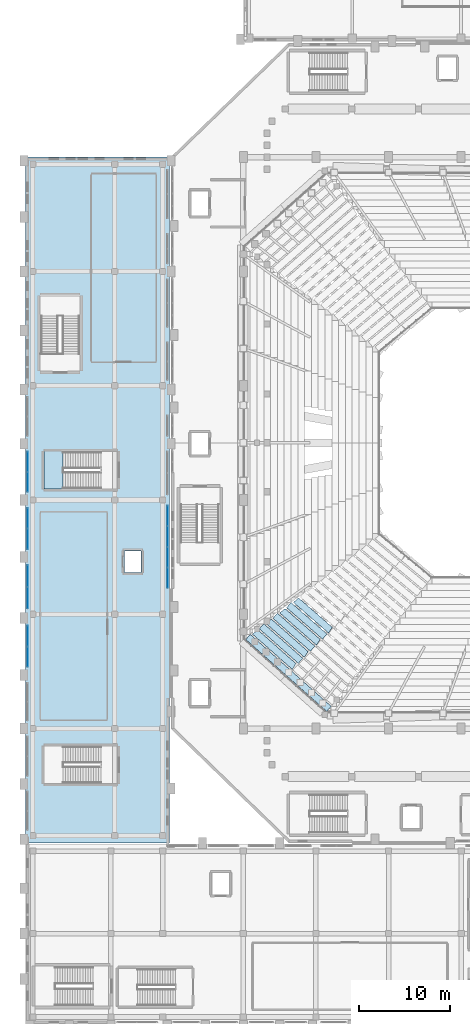
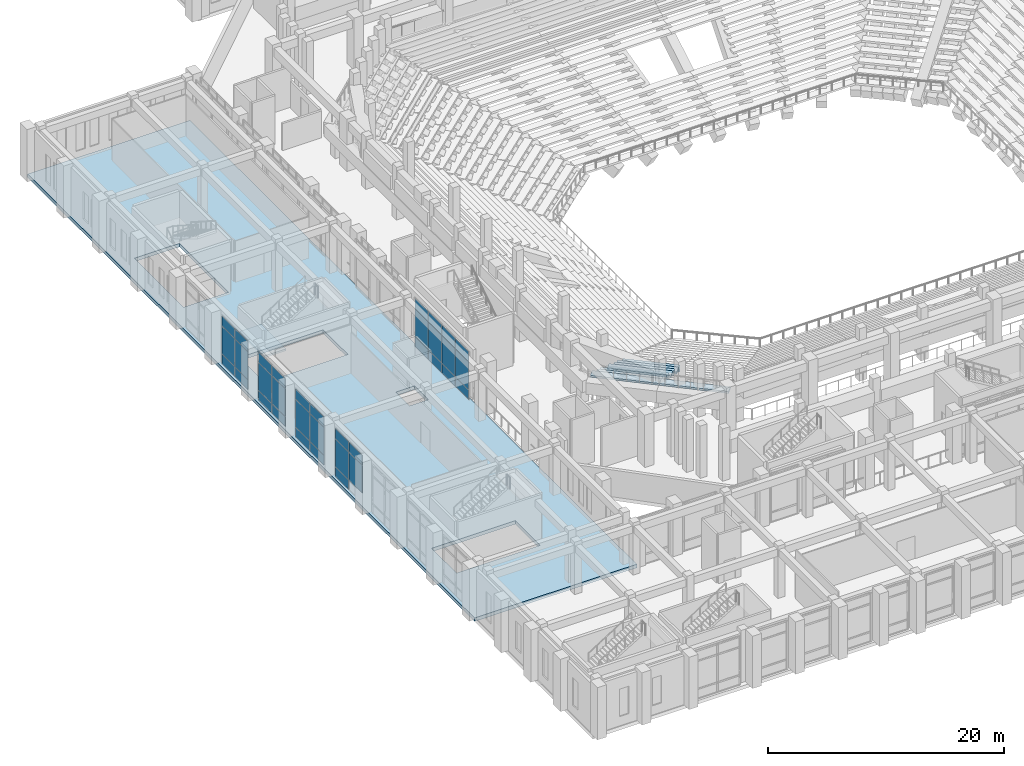
# One storey, part 87 of 159: 35 plates, 11 slabs, 6 elements without a shape of their own.
"""IFC4 building model written with IfcOpenShell, lengths in metres."""

from ifc_helpers import new_model, si_unit, derived_unit, direction, frame, origin, origin_2d, place, context, subcontext, project, spatial, polyline, rectangle, outline, extrude, material, layer, layer_set, type_object, element, aggregate, save


model = new_model("IFC4")

# Units and contexts
model_context = context("Model", 3, precision=1e-05, world=origin(), true_north=direction((0.0, 1.0)))
body_context = subcontext(model_context, "Body", "Model", "MODEL_VIEW")
ifc_project = project(units=[si_unit("LENGTHUNIT", "METRE"), si_unit("AREAUNIT", "SQUARE_METRE"), si_unit("VOLUMEUNIT", "CUBIC_METRE"), si_unit("PLANEANGLEUNIT", "RADIAN"), si_unit("MASSUNIT", "GRAM", prefix="KILO"), derived_unit("THERMALTRANSMITTANCEUNIT", [(si_unit("MASSUNIT", "GRAM", prefix="KILO"), 1), (si_unit("TIMEUNIT", "SECOND"), -3), (si_unit("THERMODYNAMICTEMPERATUREUNIT", "KELVIN"), -1)])], contexts=[model_context])

# Site, building, storey
site_placement = place(None, origin())
site = spatial("IfcSite", under=ifc_project, at=site_placement, CompositionType="ELEMENT")
building_placement = place(site_placement, origin())
building = spatial("IfcBuilding", under=site, at=building_placement, Name="Valcora Ridge Arena", CompositionType="ELEMENT")
storey_placement = place(building_placement, frame((0.0, 0.0, 6.0)))
storey = spatial("IfcBuildingStorey", under=building, at=storey_placement, Name="L01", CompositionType="ELEMENT", Elevation=6.0)

# Stair, slab
ifc_material_1 = material(Name="Concrete C40/50", Category="concrete")
stair_type = type_object("IfcStairType", Name="TY-STAIR-ES08-54", PredefinedType="HALF_TURN_STAIR", material=ifc_material_1)
stair_placement = place(storey_placement, origin())
stair = element("IfcStair", 1, at=stair_placement, inside=storey, type_object=stair_type, Name="ES08-54 STR-ES-0028", PredefinedType="HALF_TURN_STAIR")
ifc_layer_1 = layer(ifc_material_1, 0.199951171875, Name="Concrete C40/50")
ifc_layer_set_1 = layer_set([ifc_layer_1], Name="Concrete C40/50")
slab_type_1 = type_object("IfcSlabType", Name="TY-LAND-ES08-54", PredefinedType="LANDING", material=ifc_layer_set_1)
slab_1_placement = place(storey_placement, frame((0.0, 0.0, 2.5)))
slab_1 = element("IfcSlab", 2, at=slab_1_placement, type_object=slab_type_1, Name="ES08-54 landing 1", PredefinedType="LANDING", context=body_context, shape_type="SweptSolid", body=[
    extrude(outline(polyline([(2.001953125, 59.001953125), (4.1201171875, 59.001953125), (4.1201171875, 63.197998046875), (2.001953125, 63.197998046875), (2.001953125, 59.001953125)])), origin(), (0.0, 0.0, 1.0), 0.199951171875),
])
aggregate(stair, [slab_1])

# Curtain wall, plates
ifc_material_2 = material(Name="Anodised dark bronze architectural aluminium 6063-T6", Category="aluminium")
ifc_layer_2 = layer(ifc_material_2, 0.14990234375, Name="Anodised dark bronze architectural aluminium 6063-T6")
ifc_layer_set_2 = layer_set([ifc_layer_2], Name="Anodised dark bronze architectural aluminium 6063-T6")
curtain_wall_type_1 = type_object("IfcCurtainWallType", Name="TY-CURTAINWALL-CW-V4-CLUB-045X50", PredefinedType="NOTDEFINED", material=ifc_layer_set_2)
curtain_wall_1_placement = place(storey_placement, origin())
curtain_wall_1 = element("IfcCurtainWall", 3, at=curtain_wall_1_placement, inside=storey, type_object=curtain_wall_type_1, Name="CW-V4-CLUB-045X50 CW-0228", PredefinedType="NOTDEFINED")
ifc_material_3 = material(Name="Low-iron solar-control double glazing SHGC 0.28", Category="glass")
ifc_layer_3 = layer(ifc_material_3, 0.028076171875, Name="Low-iron solar-control double glazing SHGC 0.28")
ifc_layer_set_3 = layer_set([ifc_layer_3], Name="Low-iron solar-control double glazing SHGC 0.28")
plate_type_1 = type_object("IfcPlateType", Name="TY-PLT-CWP-2185X0975", PredefinedType="CURTAIN_PANEL", material=ifc_layer_set_3)
plate_1_placement = place(storey_placement, frame((0.219970703125, 59.782470703125, 0.050048828125), z_axis=(0.0, 0.0, 1.0), x_axis=(0.0, 1.0, 0.0)))
plate_1 = element("IfcPlate", 4, at=plate_1_placement, type_object=plate_type_1, Name="CW-0228/P00-00", PredefinedType="CURTAIN_PANEL", context=body_context, shape_type="SweptSolid", body=[
    extrude(rectangle(XDim=2.18505859375, YDim=0.028076171875, at=origin_2d()), origin(), (0.0, 0.0, 1.0), 0.97509765625),
])
plate_2_placement = place(storey_placement, frame((0.219970703125, 62.017578125, 0.050048828125), z_axis=(0.0, 0.0, 1.0), x_axis=(0.0, 1.0, 0.0)))
plate_2 = element("IfcPlate", 5, at=plate_2_placement, type_object=plate_type_1, Name="CW-0228/P01-00", PredefinedType="CURTAIN_PANEL", context=body_context, shape_type="SweptSolid", body=[
    extrude(rectangle(XDim=2.18505859375, YDim=0.028076171875, at=origin_2d()), origin(), (0.0, 0.0, 1.0), 0.97509765625),
])
ifc_layer_4 = layer(ifc_material_3, 0.028076171875, Name="Low-iron solar-control double glazing SHGC 0.28")
ifc_layer_set_4 = layer_set([ifc_layer_4], Name="Low-iron solar-control double glazing SHGC 0.28")
plate_type_2 = type_object("IfcPlateType", Name="TY-PLT-CWP-2185X1025", PredefinedType="CURTAIN_PANEL", material=ifc_layer_set_4)
plate_3_placement = place(storey_placement, frame((0.219970703125, 59.782470703125, 3.965087890625), z_axis=(0.0, 0.0, 1.0), x_axis=(0.0, 1.0, 0.0)))
plate_3 = element("IfcPlate", 6, at=plate_3_placement, type_object=plate_type_2, Name="CW-0228/P00-02", PredefinedType="CURTAIN_PANEL", context=body_context, shape_type="SweptSolid", body=[
    extrude(rectangle(XDim=2.18505859375, YDim=0.028076171875, at=origin_2d()), origin(), (0.0, 0.0, 1.0), 1.02490234375),
])
plate_4_placement = place(storey_placement, frame((0.219970703125, 62.017578125, 3.965087890625), z_axis=(0.0, 0.0, 1.0), x_axis=(0.0, 1.0, 0.0)))
plate_4 = element("IfcPlate", 7, at=plate_4_placement, type_object=plate_type_2, Name="CW-0228/P01-02", PredefinedType="CURTAIN_PANEL", context=body_context, shape_type="SweptSolid", body=[
    extrude(rectangle(XDim=2.18505859375, YDim=0.028076171875, at=origin_2d()), origin(), (0.0, 0.0, 1.0), 1.02490234375),
])
ifc_layer_5 = layer(ifc_material_3, 0.028076171875, Name="Low-iron solar-control double glazing SHGC 0.28")
ifc_layer_set_5 = layer_set([ifc_layer_5], Name="Low-iron solar-control double glazing SHGC 0.28")
plate_type_3 = type_object("IfcPlateType", Name="TY-PLT-CWP-2185X2840", PredefinedType="CURTAIN_PANEL", material=ifc_layer_set_5)
plate_5_placement = place(storey_placement, frame((0.219970703125, 59.782470703125, 1.0751953125), z_axis=(0.0, 0.0, 1.0), x_axis=(0.0, 1.0, 0.0)))
plate_5 = element("IfcPlate", 8, at=plate_5_placement, type_object=plate_type_3, Name="CW-0228/P00-01", PredefinedType="CURTAIN_PANEL", context=body_context, shape_type="SweptSolid", body=[
    extrude(rectangle(XDim=2.18505859375, YDim=0.028076171875, at=origin_2d()), origin(), (0.0, 0.0, 1.0), 2.840087890625),
])
plate_6_placement = place(storey_placement, frame((0.219970703125, 62.017578125, 1.0751953125), z_axis=(0.0, 0.0, 1.0), x_axis=(0.0, 1.0, 0.0)))
plate_6 = element("IfcPlate", 9, at=plate_6_placement, type_object=plate_type_3, Name="CW-0228/P01-01", PredefinedType="CURTAIN_PANEL", context=body_context, shape_type="SweptSolid", body=[
    extrude(rectangle(XDim=2.18505859375, YDim=0.028076171875, at=origin_2d()), origin(), (0.0, 0.0, 1.0), 2.840087890625),
])
aggregate(curtain_wall_1, [plate_1, plate_5, plate_3, plate_2, plate_6, plate_4])

ifc_layer_6 = layer(ifc_material_2, 0.14990234375, Name="Anodised dark bronze architectural aluminium 6063-T6")
ifc_layer_set_6 = layer_set([ifc_layer_6], Name="Anodised dark bronze architectural aluminium 6063-T6")
curtain_wall_type_2 = type_object("IfcCurtainWallType", Name="TY-CURTAINWALL-CW-V4-CLUB-092X50", PredefinedType="NOTDEFINED", material=ifc_layer_set_6)
curtain_wall_2_placement = place(storey_placement, origin())
curtain_wall_2 = element("IfcCurtainWall", 10, at=curtain_wall_2_placement, inside=storey, type_object=curtain_wall_type_2, Name="CW-V4-CLUB-092X50 CW-0230", PredefinedType="NOTDEFINED")
ifc_layer_7 = layer(ifc_material_3, 0.028076171875, Name="Low-iron solar-control double glazing SHGC 0.28")
ifc_layer_set_7 = layer_set([ifc_layer_7], Name="Low-iron solar-control double glazing SHGC 0.28")
plate_type_4 = type_object("IfcPlateType", Name="TY-PLT-CWP-2215X0975", PredefinedType="CURTAIN_PANEL", material=ifc_layer_set_7)
plate_7_placement = place(storey_placement, frame((15.64990234375, 49.20751953125, 0.050048828125), z_axis=(0.0, 0.0, 1.0), x_axis=(0.0, 1.0, 0.0)))
plate_7 = element("IfcPlate", 11, at=plate_7_placement, type_object=plate_type_4, Name="CW-0230/P00-00", PredefinedType="CURTAIN_PANEL", context=body_context, shape_type="SweptSolid", body=[
    extrude(rectangle(XDim=2.215087890625, YDim=0.028076171875, at=origin_2d()), origin(), (0.0, 0.0, 1.0), 0.97509765625),
])
plate_8_placement = place(storey_placement, frame((15.64990234375, 56.052490234375, 0.050048828125), z_axis=(0.0, 0.0, 1.0), x_axis=(0.0, 1.0, 0.0)))
plate_8 = element("IfcPlate", 12, at=plate_8_placement, type_object=plate_type_4, Name="CW-0230/P03-00", PredefinedType="CURTAIN_PANEL", context=body_context, shape_type="SweptSolid", body=[
    extrude(rectangle(XDim=2.215087890625, YDim=0.028076171875, at=origin_2d()), origin(), (0.0, 0.0, 1.0), 0.97509765625),
])
ifc_layer_8 = layer(ifc_material_3, 0.028076171875, Name="Low-iron solar-control double glazing SHGC 0.28")
ifc_layer_set_8 = layer_set([ifc_layer_8], Name="Low-iron solar-control double glazing SHGC 0.28")
plate_type_5 = type_object("IfcPlateType", Name="TY-PLT-CWP-2215X1025", PredefinedType="CURTAIN_PANEL", material=ifc_layer_set_8)
plate_9_placement = place(storey_placement, frame((15.64990234375, 49.20751953125, 3.965087890625), z_axis=(0.0, 0.0, 1.0), x_axis=(0.0, 1.0, 0.0)))
plate_9 = element("IfcPlate", 13, at=plate_9_placement, type_object=plate_type_5, Name="CW-0230/P00-02", PredefinedType="CURTAIN_PANEL", context=body_context, shape_type="SweptSolid", body=[
    extrude(rectangle(XDim=2.215087890625, YDim=0.028076171875, at=origin_2d()), origin(), (0.0, 0.0, 1.0), 1.02490234375),
])
plate_10_placement = place(storey_placement, frame((15.64990234375, 56.052490234375, 3.965087890625), z_axis=(0.0, 0.0, 1.0), x_axis=(0.0, 1.0, 0.0)))
plate_10 = element("IfcPlate", 14, at=plate_10_placement, type_object=plate_type_5, Name="CW-0230/P03-02", PredefinedType="CURTAIN_PANEL", context=body_context, shape_type="SweptSolid", body=[
    extrude(rectangle(XDim=2.215087890625, YDim=0.028076171875, at=origin_2d()), origin(), (0.0, 0.0, 1.0), 1.02490234375),
])
ifc_layer_9 = layer(ifc_material_3, 0.028076171875, Name="Low-iron solar-control double glazing SHGC 0.28")
ifc_layer_set_9 = layer_set([ifc_layer_9], Name="Low-iron solar-control double glazing SHGC 0.28")
plate_type_6 = type_object("IfcPlateType", Name="TY-PLT-CWP-2215X2840", PredefinedType="CURTAIN_PANEL", material=ifc_layer_set_9)
plate_11_placement = place(storey_placement, frame((15.64990234375, 49.20751953125, 1.0751953125), z_axis=(0.0, 0.0, 1.0), x_axis=(0.0, 1.0, 0.0)))
plate_11 = element("IfcPlate", 15, at=plate_11_placement, type_object=plate_type_6, Name="CW-0230/P00-01", PredefinedType="CURTAIN_PANEL", context=body_context, shape_type="SweptSolid", body=[
    extrude(rectangle(XDim=2.215087890625, YDim=0.028076171875, at=origin_2d()), origin(), (0.0, 0.0, 1.0), 2.840087890625),
])
plate_12_placement = place(storey_placement, frame((15.64990234375, 56.052490234375, 1.0751953125), z_axis=(0.0, 0.0, 1.0), x_axis=(0.0, 1.0, 0.0)))
plate_12 = element("IfcPlate", 16, at=plate_12_placement, type_object=plate_type_6, Name="CW-0230/P03-01", PredefinedType="CURTAIN_PANEL", context=body_context, shape_type="SweptSolid", body=[
    extrude(rectangle(XDim=2.215087890625, YDim=0.028076171875, at=origin_2d()), origin(), (0.0, 0.0, 1.0), 2.840087890625),
])

# Curtain wall, plate
ifc_layer_10 = layer(ifc_material_2, 0.14990234375, Name="Anodised dark bronze architectural aluminium 6063-T6")
ifc_layer_set_10 = layer_set([ifc_layer_10], Name="Anodised dark bronze architectural aluminium 6063-T6")
curtain_wall_type_3 = type_object("IfcCurtainWallType", Name="TY-CURTAINWALL-CW-V4-CLUB-046X50", PredefinedType="NOTDEFINED", material=ifc_layer_set_10)
curtain_wall_3_placement = place(storey_placement, origin())
curtain_wall_3 = element("IfcCurtainWall", 17, at=curtain_wall_3_placement, inside=storey, type_object=curtain_wall_type_3, Name="CW-V4-CLUB-046X50 CW-0225", PredefinedType="NOTDEFINED")
ifc_layer_11 = layer(ifc_material_3, 0.028076171875, Name="Low-iron solar-control double glazing SHGC 0.28")
ifc_layer_set_11 = layer_set([ifc_layer_11], Name="Low-iron solar-control double glazing SHGC 0.28")
plate_type_7 = type_object("IfcPlateType", Name="TY-PLT-CWP-2235X0975", PredefinedType="CURTAIN_PANEL", material=ifc_layer_set_11)
plate_13_placement = place(storey_placement, frame((0.219970703125, 42.79248046875, 0.050048828125), z_axis=(0.0, 0.0, 1.0), x_axis=(0.0, 1.0, 0.0)))
plate_13 = element("IfcPlate", 18, at=plate_13_placement, type_object=plate_type_7, Name="CW-0225/P01-00", PredefinedType="CURTAIN_PANEL", context=body_context, shape_type="SweptSolid", body=[
    extrude(rectangle(XDim=2.235107421875, YDim=0.028076171875, at=origin_2d()), origin(), (0.0, 0.0, 1.0), 0.97509765625),
])

# Curtain wall, plates
curtain_wall_4_placement = place(storey_placement, origin())
curtain_wall_4 = element("IfcCurtainWall", 19, at=curtain_wall_4_placement, inside=storey, type_object=curtain_wall_type_3, Name="CW-V4-CLUB-046X50 CW-0227", PredefinedType="NOTDEFINED")
plate_14_placement = place(storey_placement, frame((0.219970703125, 53.507568359375, 0.050048828125), z_axis=(0.0, 0.0, 1.0), x_axis=(0.0, 1.0, 0.0)))
plate_14 = element("IfcPlate", 20, at=plate_14_placement, type_object=plate_type_7, Name="CW-0227/P00-00", PredefinedType="CURTAIN_PANEL", context=body_context, shape_type="SweptSolid", body=[
    extrude(rectangle(XDim=2.235107421875, YDim=0.028076171875, at=origin_2d()), origin(), (0.0, 0.0, 1.0), 0.97509765625),
])
plate_15_placement = place(storey_placement, frame((0.219970703125, 55.79248046875, 0.050048828125), z_axis=(0.0, 0.0, 1.0), x_axis=(0.0, 1.0, 0.0)))
plate_15 = element("IfcPlate", 21, at=plate_15_placement, type_object=plate_type_7, Name="CW-0227/P01-00", PredefinedType="CURTAIN_PANEL", context=body_context, shape_type="SweptSolid", body=[
    extrude(rectangle(XDim=2.235107421875, YDim=0.028076171875, at=origin_2d()), origin(), (0.0, 0.0, 1.0), 0.97509765625),
])

# Plate
ifc_layer_12 = layer(ifc_material_3, 0.028076171875, Name="Low-iron solar-control double glazing SHGC 0.28")
ifc_layer_set_12 = layer_set([ifc_layer_12], Name="Low-iron solar-control double glazing SHGC 0.28")
plate_type_8 = type_object("IfcPlateType", Name="TY-PLT-CWP-2235X1025", PredefinedType="CURTAIN_PANEL", material=ifc_layer_set_12)
plate_16_placement = place(storey_placement, frame((0.219970703125, 40.507568359375, 3.965087890625), z_axis=(0.0, 0.0, 1.0), x_axis=(0.0, 1.0, 0.0)))
plate_16 = element("IfcPlate", 22, at=plate_16_placement, type_object=plate_type_8, Name="CW-0225/P00-02", PredefinedType="CURTAIN_PANEL", context=body_context, shape_type="SweptSolid", body=[
    extrude(rectangle(XDim=2.235107421875, YDim=0.028076171875, at=origin_2d()), origin(), (0.0, 0.0, 1.0), 1.02490234375),
])

plate_17_placement = place(storey_placement, frame((0.219970703125, 42.79248046875, 3.965087890625), z_axis=(0.0, 0.0, 1.0), x_axis=(0.0, 1.0, 0.0)))
plate_17 = element("IfcPlate", 23, at=plate_17_placement, type_object=plate_type_8, Name="CW-0225/P01-02", PredefinedType="CURTAIN_PANEL", context=body_context, shape_type="SweptSolid", body=[
    extrude(rectangle(XDim=2.235107421875, YDim=0.028076171875, at=origin_2d()), origin(), (0.0, 0.0, 1.0), 1.02490234375),
])

plate_18_placement = place(storey_placement, frame((0.219970703125, 53.507568359375, 3.965087890625), z_axis=(0.0, 0.0, 1.0), x_axis=(0.0, 1.0, 0.0)))
plate_18 = element("IfcPlate", 24, at=plate_18_placement, type_object=plate_type_8, Name="CW-0227/P00-02", PredefinedType="CURTAIN_PANEL", context=body_context, shape_type="SweptSolid", body=[
    extrude(rectangle(XDim=2.235107421875, YDim=0.028076171875, at=origin_2d()), origin(), (0.0, 0.0, 1.0), 1.02490234375),
])

plate_19_placement = place(storey_placement, frame((0.219970703125, 55.79248046875, 3.965087890625), z_axis=(0.0, 0.0, 1.0), x_axis=(0.0, 1.0, 0.0)))
plate_19 = element("IfcPlate", 25, at=plate_19_placement, type_object=plate_type_8, Name="CW-0227/P01-02", PredefinedType="CURTAIN_PANEL", context=body_context, shape_type="SweptSolid", body=[
    extrude(rectangle(XDim=2.235107421875, YDim=0.028076171875, at=origin_2d()), origin(), (0.0, 0.0, 1.0), 1.02490234375),
])

ifc_layer_13 = layer(ifc_material_3, 0.028076171875, Name="Low-iron solar-control double glazing SHGC 0.28")
ifc_layer_set_13 = layer_set([ifc_layer_13], Name="Low-iron solar-control double glazing SHGC 0.28")
plate_type_9 = type_object("IfcPlateType", Name="TY-PLT-CWP-2235X2840", PredefinedType="CURTAIN_PANEL", material=ifc_layer_set_13)
plate_20_placement = place(storey_placement, frame((0.219970703125, 40.507568359375, 1.0751953125), z_axis=(0.0, 0.0, 1.0), x_axis=(0.0, 1.0, 0.0)))
plate_20 = element("IfcPlate", 26, at=plate_20_placement, type_object=plate_type_9, Name="CW-0225/P00-01", PredefinedType="CURTAIN_PANEL", context=body_context, shape_type="SweptSolid", body=[
    extrude(rectangle(XDim=2.235107421875, YDim=0.028076171875, at=origin_2d()), origin(), (0.0, 0.0, 1.0), 2.840087890625),
])

plate_21_placement = place(storey_placement, frame((0.219970703125, 42.79248046875, 1.0751953125), z_axis=(0.0, 0.0, 1.0), x_axis=(0.0, 1.0, 0.0)))
plate_21 = element("IfcPlate", 27, at=plate_21_placement, type_object=plate_type_9, Name="CW-0225/P01-01", PredefinedType="CURTAIN_PANEL", context=body_context, shape_type="SweptSolid", body=[
    extrude(rectangle(XDim=2.235107421875, YDim=0.028076171875, at=origin_2d()), origin(), (0.0, 0.0, 1.0), 2.840087890625),
])

aggregate(curtain_wall_3, [plate_20, plate_16, plate_13, plate_21, plate_17])

plate_22_placement = place(storey_placement, frame((0.219970703125, 53.507568359375, 1.0751953125), z_axis=(0.0, 0.0, 1.0), x_axis=(0.0, 1.0, 0.0)))
plate_22 = element("IfcPlate", 28, at=plate_22_placement, type_object=plate_type_9, Name="CW-0227/P00-01", PredefinedType="CURTAIN_PANEL", context=body_context, shape_type="SweptSolid", body=[
    extrude(rectangle(XDim=2.235107421875, YDim=0.028076171875, at=origin_2d()), origin(), (0.0, 0.0, 1.0), 2.840087890625),
])

plate_23_placement = place(storey_placement, frame((0.219970703125, 55.79248046875, 1.0751953125), z_axis=(0.0, 0.0, 1.0), x_axis=(0.0, 1.0, 0.0)))
plate_23 = element("IfcPlate", 29, at=plate_23_placement, type_object=plate_type_9, Name="CW-0227/P01-01", PredefinedType="CURTAIN_PANEL", context=body_context, shape_type="SweptSolid", body=[
    extrude(rectangle(XDim=2.235107421875, YDim=0.028076171875, at=origin_2d()), origin(), (0.0, 0.0, 1.0), 2.840087890625),
])

aggregate(curtain_wall_4, [plate_14, plate_22, plate_18, plate_15, plate_23, plate_19])

ifc_layer_14 = layer(ifc_material_3, 0.028076171875, Name="Low-iron solar-control double glazing SHGC 0.28")
ifc_layer_set_14 = layer_set([ifc_layer_14], Name="Low-iron solar-control double glazing SHGC 0.28")
plate_type_10 = type_object("IfcPlateType", Name="TY-PLT-CWP-2240X0975", PredefinedType="CURTAIN_PANEL", material=ifc_layer_set_14)
plate_24_placement = place(storey_placement, frame((15.64990234375, 51.485107421875, 0.050048828125), z_axis=(0.0, 0.0, 1.0), x_axis=(0.0, 1.0, 0.0)))
plate_24 = element("IfcPlate", 30, at=plate_24_placement, type_object=plate_type_10, Name="CW-0230/P01-00", PredefinedType="CURTAIN_PANEL", context=body_context, shape_type="SweptSolid", body=[
    extrude(rectangle(XDim=2.239990234375, YDim=0.028076171875, at=origin_2d()), origin(), (0.0, 0.0, 1.0), 0.97509765625),
])

plate_25_placement = place(storey_placement, frame((15.64990234375, 53.77490234375, 0.050048828125), z_axis=(0.0, 0.0, 1.0), x_axis=(0.0, 1.0, 0.0)))
plate_25 = element("IfcPlate", 31, at=plate_25_placement, type_object=plate_type_10, Name="CW-0230/P02-00", PredefinedType="CURTAIN_PANEL", context=body_context, shape_type="SweptSolid", body=[
    extrude(rectangle(XDim=2.239990234375, YDim=0.028076171875, at=origin_2d()), origin(), (0.0, 0.0, 1.0), 0.97509765625),
])

ifc_layer_15 = layer(ifc_material_3, 0.028076171875, Name="Low-iron solar-control double glazing SHGC 0.28")
ifc_layer_set_15 = layer_set([ifc_layer_15], Name="Low-iron solar-control double glazing SHGC 0.28")
plate_type_11 = type_object("IfcPlateType", Name="TY-PLT-CWP-2240X1025", PredefinedType="CURTAIN_PANEL", material=ifc_layer_set_15)
plate_26_placement = place(storey_placement, frame((15.64990234375, 51.485107421875, 3.965087890625), z_axis=(0.0, 0.0, 1.0), x_axis=(0.0, 1.0, 0.0)))
plate_26 = element("IfcPlate", 32, at=plate_26_placement, type_object=plate_type_11, Name="CW-0230/P01-02", PredefinedType="CURTAIN_PANEL", context=body_context, shape_type="SweptSolid", body=[
    extrude(rectangle(XDim=2.239990234375, YDim=0.028076171875, at=origin_2d()), origin(), (0.0, 0.0, 1.0), 1.02490234375),
])

plate_27_placement = place(storey_placement, frame((15.64990234375, 53.77490234375, 3.965087890625), z_axis=(0.0, 0.0, 1.0), x_axis=(0.0, 1.0, 0.0)))
plate_27 = element("IfcPlate", 33, at=plate_27_placement, type_object=plate_type_11, Name="CW-0230/P02-02", PredefinedType="CURTAIN_PANEL", context=body_context, shape_type="SweptSolid", body=[
    extrude(rectangle(XDim=2.239990234375, YDim=0.028076171875, at=origin_2d()), origin(), (0.0, 0.0, 1.0), 1.02490234375),
])

ifc_layer_16 = layer(ifc_material_3, 0.028076171875, Name="Low-iron solar-control double glazing SHGC 0.28")
ifc_layer_set_16 = layer_set([ifc_layer_16], Name="Low-iron solar-control double glazing SHGC 0.28")
plate_type_12 = type_object("IfcPlateType", Name="TY-PLT-CWP-2240X2840", PredefinedType="CURTAIN_PANEL", material=ifc_layer_set_16)
plate_28_placement = place(storey_placement, frame((15.64990234375, 51.485107421875, 1.0751953125), z_axis=(0.0, 0.0, 1.0), x_axis=(0.0, 1.0, 0.0)))
plate_28 = element("IfcPlate", 34, at=plate_28_placement, type_object=plate_type_12, Name="CW-0230/P01-01", PredefinedType="CURTAIN_PANEL", context=body_context, shape_type="SweptSolid", body=[
    extrude(rectangle(XDim=2.239990234375, YDim=0.028076171875, at=origin_2d()), origin(), (0.0, 0.0, 1.0), 2.840087890625),
])

plate_29_placement = place(storey_placement, frame((15.64990234375, 53.77490234375, 1.0751953125), z_axis=(0.0, 0.0, 1.0), x_axis=(0.0, 1.0, 0.0)))
plate_29 = element("IfcPlate", 35, at=plate_29_placement, type_object=plate_type_12, Name="CW-0230/P02-01", PredefinedType="CURTAIN_PANEL", context=body_context, shape_type="SweptSolid", body=[
    extrude(rectangle(XDim=2.239990234375, YDim=0.028076171875, at=origin_2d()), origin(), (0.0, 0.0, 1.0), 2.840087890625),
])

aggregate(curtain_wall_2, [plate_7, plate_11, plate_9, plate_24, plate_28, plate_26, plate_25, plate_29, plate_27, plate_8, plate_12, plate_10])

# Curtain wall, plates
ifc_layer_17 = layer(ifc_material_2, 0.14990234375, Name="Anodised dark bronze architectural aluminium 6063-T6")
ifc_layer_set_17 = layer_set([ifc_layer_17], Name="Anodised dark bronze architectural aluminium 6063-T6")
curtain_wall_type_4 = type_object("IfcCurtainWallType", Name="TY-CURTAINWALL-CW-V4-CLUB-049X50", PredefinedType="NOTDEFINED", material=ifc_layer_set_17)
curtain_wall_5_placement = place(storey_placement, origin())
curtain_wall_5 = element("IfcCurtainWall", 36, at=curtain_wall_5_placement, inside=storey, type_object=curtain_wall_type_4, Name="CW-V4-CLUB-049X50 CW-0226", PredefinedType="NOTDEFINED")
ifc_layer_18 = layer(ifc_material_3, 0.028076171875, Name="Low-iron solar-control double glazing SHGC 0.28")
ifc_layer_set_18 = layer_set([ifc_layer_18], Name="Low-iron solar-control double glazing SHGC 0.28")
plate_type_13 = type_object("IfcPlateType", Name="TY-PLT-CWP-2360X0975", PredefinedType="CURTAIN_PANEL", material=ifc_layer_set_18)
plate_30_placement = place(storey_placement, frame((0.219970703125, 47.02001953125, 0.050048828125), z_axis=(0.0, 0.0, 1.0), x_axis=(0.0, 1.0, 0.0)))
plate_30 = element("IfcPlate", 37, at=plate_30_placement, type_object=plate_type_13, Name="CW-0226/P00-00", PredefinedType="CURTAIN_PANEL", context=body_context, shape_type="SweptSolid", body=[
    extrude(rectangle(XDim=2.360107421875, YDim=0.028076171875, at=origin_2d()), origin(), (0.0, 0.0, 1.0), 0.97509765625),
])
plate_31_placement = place(storey_placement, frame((0.219970703125, 49.429931640625, 0.050048828125), z_axis=(0.0, 0.0, 1.0), x_axis=(0.0, 1.0, 0.0)))
plate_31 = element("IfcPlate", 38, at=plate_31_placement, type_object=plate_type_13, Name="CW-0226/P01-00", PredefinedType="CURTAIN_PANEL", context=body_context, shape_type="SweptSolid", body=[
    extrude(rectangle(XDim=2.360107421875, YDim=0.028076171875, at=origin_2d()), origin(), (0.0, 0.0, 1.0), 0.97509765625),
])
ifc_layer_19 = layer(ifc_material_3, 0.028076171875, Name="Low-iron solar-control double glazing SHGC 0.28")
ifc_layer_set_19 = layer_set([ifc_layer_19], Name="Low-iron solar-control double glazing SHGC 0.28")
plate_type_14 = type_object("IfcPlateType", Name="TY-PLT-CWP-2360X1025", PredefinedType="CURTAIN_PANEL", material=ifc_layer_set_19)
plate_32_placement = place(storey_placement, frame((0.219970703125, 47.02001953125, 3.965087890625), z_axis=(0.0, 0.0, 1.0), x_axis=(0.0, 1.0, 0.0)))
plate_32 = element("IfcPlate", 39, at=plate_32_placement, type_object=plate_type_14, Name="CW-0226/P00-02", PredefinedType="CURTAIN_PANEL", context=body_context, shape_type="SweptSolid", body=[
    extrude(rectangle(XDim=2.360107421875, YDim=0.028076171875, at=origin_2d()), origin(), (0.0, 0.0, 1.0), 1.02490234375),
])
plate_33_placement = place(storey_placement, frame((0.219970703125, 49.429931640625, 3.965087890625), z_axis=(0.0, 0.0, 1.0), x_axis=(0.0, 1.0, 0.0)))
plate_33 = element("IfcPlate", 40, at=plate_33_placement, type_object=plate_type_14, Name="CW-0226/P01-02", PredefinedType="CURTAIN_PANEL", context=body_context, shape_type="SweptSolid", body=[
    extrude(rectangle(XDim=2.360107421875, YDim=0.028076171875, at=origin_2d()), origin(), (0.0, 0.0, 1.0), 1.02490234375),
])
ifc_layer_20 = layer(ifc_material_3, 0.028076171875, Name="Low-iron solar-control double glazing SHGC 0.28")
ifc_layer_set_20 = layer_set([ifc_layer_20], Name="Low-iron solar-control double glazing SHGC 0.28")
plate_type_15 = type_object("IfcPlateType", Name="TY-PLT-CWP-2360X2840", PredefinedType="CURTAIN_PANEL", material=ifc_layer_set_20)
plate_34_placement = place(storey_placement, frame((0.219970703125, 47.02001953125, 1.0751953125), z_axis=(0.0, 0.0, 1.0), x_axis=(0.0, 1.0, 0.0)))
plate_34 = element("IfcPlate", 41, at=plate_34_placement, type_object=plate_type_15, Name="CW-0226/P00-01", PredefinedType="CURTAIN_PANEL", context=body_context, shape_type="SweptSolid", body=[
    extrude(rectangle(XDim=2.360107421875, YDim=0.028076171875, at=origin_2d()), origin(), (0.0, 0.0, 1.0), 2.840087890625),
])
plate_35_placement = place(storey_placement, frame((0.219970703125, 49.429931640625, 1.0751953125), z_axis=(0.0, 0.0, 1.0), x_axis=(0.0, 1.0, 0.0)))
plate_35 = element("IfcPlate", 42, at=plate_35_placement, type_object=plate_type_15, Name="CW-0226/P01-01", PredefinedType="CURTAIN_PANEL", context=body_context, shape_type="SweptSolid", body=[
    extrude(rectangle(XDim=2.360107421875, YDim=0.028076171875, at=origin_2d()), origin(), (0.0, 0.0, 1.0), 2.840087890625),
])
aggregate(curtain_wall_5, [plate_30, plate_34, plate_32, plate_31, plate_35, plate_33])

# Slabs
ifc_layer_21 = layer(ifc_material_1, 0.360107421875, Name="Concrete C40/50")
ifc_layer_set_21 = layer_set([ifc_layer_21], Name="Concrete C40/50")
slab_type_2 = type_object("IfcSlabType", Name="TY-SLAB-SL-V4-360W", PredefinedType="FLOOR", material=ifc_layer_set_21)
slab_2_placement = place(storey_placement, frame((0.0, 0.0, -0.360107421875)))
element("IfcSlab", 43, at=slab_2_placement, inside=storey, type_object=slab_type_2, Name="SL-V4-360W SLB-0059", PredefinedType="FLOOR", context=body_context, shape_type="SweptSolid", body=[
    extrude(outline(polyline([(0.0, 20.0), (15.85009765625, 20.0), (15.85009765625, 95.60009765625), (0.0, 95.60009765625), (0.0, 20.0)]), holes=[polyline([(10.159912109375, 30.699951171875), (2.0, 30.699951171875), (2.0, 26.5), (10.159912109375, 26.5), (10.159912109375, 30.699951171875)]), polyline([(10.159912109375, 63.199951171875), (2.0, 63.199951171875), (2.0, 59.0), (10.159912109375, 59.0), (10.159912109375, 63.199951171875)]), polyline([(6.0, 80.320068359375), (1.60009765625, 80.320068359375), (1.60009765625, 72.0), (6.0, 72.0), (6.0, 80.320068359375)]), polyline([(12.719970703125, 52.169921875), (10.8798828125, 52.169921875), (10.8798828125, 49.830078125), (12.719970703125, 49.830078125), (12.719970703125, 52.169921875)])]), origin(), (0.0, 0.0, 1.0), 0.360107421875),
])
ifc_material_4 = material(Name="Precast concrete C45/55", Category="concrete")
ifc_layer_22 = layer(ifc_material_4, 0.199951171875, Name="Precast concrete C45/55")
ifc_layer_set_22 = layer_set([ifc_layer_22], Name="Precast concrete C45/55")
slab_type_3 = type_object("IfcSlabType", Name="TY-SLAB-ST-LOW-L053", PredefinedType="USERDEFINED", material=ifc_layer_set_22)
slab_3_placement = place(storey_placement, frame((0.0, 0.0, 0.1201171875)))
element("IfcSlab", 44, at=slab_3_placement, inside=storey, type_object=slab_type_3, Name="ST-LOW-L053 SLB-TR-0335", ObjectType="SEATING TIER", PredefinedType="USERDEFINED", context=body_context, shape_type="SweptSolid", body=[
    extrude(outline(polyline([(29.25, 46.4951171875), (33.222412109375, 43.0224609375), (32.72900390625, 42.457763671875), (28.75634765625, 45.930419921875), (29.25, 46.4951171875)])), origin(), (0.0, 0.0, 1.0), 0.199951171875),
])
ifc_layer_23 = layer(ifc_material_4, 0.199951171875, Name="Precast concrete C45/55")
ifc_layer_set_23 = layer_set([ifc_layer_23], Name="Precast concrete C45/55")
slab_type_4 = type_object("IfcSlabType", Name="TY-SLAB-ST-LOW-L055", PredefinedType="USERDEFINED", material=ifc_layer_set_23)
slab_4_placement = place(storey_placement, frame((0.0, 0.0, 1.0)))
element("IfcSlab", 45, at=slab_4_placement, inside=storey, type_object=slab_type_4, Name="ST-LOW-L055 SLB-TR-0383", ObjectType="SEATING TIER", PredefinedType="USERDEFINED", context=body_context, shape_type="SweptSolid", body=[
    extrude(outline(polyline([(27.75, 45.324951171875), (31.887451171875, 41.6875), (31.392333984375, 41.124267578125), (27.2548828125, 44.76171875), (27.75, 45.324951171875)])), origin(), (0.0, 0.0, 1.0), 0.199951171875),
])
ifc_layer_24 = layer(ifc_material_4, 0.199951171875, Name="Precast concrete C45/55")
ifc_layer_set_24 = layer_set([ifc_layer_24], Name="Precast concrete C45/55")
slab_type_5 = type_object("IfcSlabType", Name="TY-SLAB-ST-LOW-L057", PredefinedType="USERDEFINED", material=ifc_layer_set_24)
slab_5_placement = place(storey_placement, frame((0.0, 0.0, 1.8798828125)))
element("IfcSlab", 46, at=slab_5_placement, inside=storey, type_object=slab_type_5, Name="ST-LOW-L057 SLB-TR-0431", ObjectType="SEATING TIER", PredefinedType="USERDEFINED", context=body_context, shape_type="SweptSolid", body=[
    extrude(outline(polyline([(26.25, 44.155029296875), (30.552490234375, 40.3525390625), (30.055908203125, 39.79052734375), (25.75341796875, 43.593017578125), (26.25, 44.155029296875)])), origin(), (0.0, 0.0, 1.0), 0.2001953125),
])
ifc_layer_25 = layer(ifc_material_4, 0.199951171875, Name="Precast concrete C45/55")
ifc_layer_set_25 = layer_set([ifc_layer_25], Name="Precast concrete C45/55")
slab_type_6 = type_object("IfcSlabType", Name="TY-SLAB-ST-LOW-L060", PredefinedType="USERDEFINED", material=ifc_layer_set_25)
slab_6_placement = place(storey_placement, frame((0.0, 0.0, 2.760009765625)))
element("IfcSlab", 47, at=slab_6_placement, inside=storey, type_object=slab_type_6, Name="ST-LOW-L060 SLB-TR-0479", ObjectType="SEATING TIER", PredefinedType="USERDEFINED", context=body_context, shape_type="SweptSolid", body=[
    extrude(outline(polyline([(24.75, 42.985107421875), (29.217529296875, 39.017578125), (28.719482421875, 38.456787109375), (24.251953125, 42.42431640625), (24.75, 42.985107421875)])), origin(), (0.0, 0.0, 1.0), 0.199951171875),
])
slab_7_placement = place(storey_placement, frame((0.0, 0.0, 2.760009765625)))
element("IfcSlab", 48, at=slab_7_placement, inside=storey, type_object=slab_type_6, Name="ST-LOW-L060 SLB-TR-0480", ObjectType="SEATING TIER", PredefinedType="USERDEFINED", context=body_context, shape_type="SweptSolid", body=[
    extrude(outline(polyline([(29.217529296875, 39.017578125), (33.68505859375, 35.050048828125), (33.18701171875, 34.4892578125), (28.719482421875, 38.456787109375), (29.217529296875, 39.017578125)])), origin(), (0.0, 0.0, 1.0), 0.199951171875),
])
ifc_layer_26 = layer(ifc_material_4, 0.199951171875, Name="Precast concrete C45/55")
ifc_layer_set_26 = layer_set([ifc_layer_26], Name="Precast concrete C45/55")
slab_type_7 = type_object("IfcSlabType", Name="TY-SLAB-ST-LOW-M052", PredefinedType="USERDEFINED", material=ifc_layer_set_26)
slab_8_placement = place(storey_placement, frame((0.0, 0.0, -0.320068359375)))
element("IfcSlab", 49, at=slab_8_placement, inside=storey, type_object=slab_type_7, Name="ST-LOW-M052 SLB-TR-0311", ObjectType="SEATING TIER", PredefinedType="USERDEFINED", context=body_context, shape_type="SweptSolid", body=[
    extrude(outline(polyline([(30.090576171875, 47.001220703125), (33.799560546875, 43.768798828125), (33.397216796875, 43.12451171875), (29.50732421875, 46.5146484375), (30.090576171875, 47.001220703125)])), origin(), (0.0, 0.0, 1.0), 0.199951171875),
])
ifc_layer_27 = layer(ifc_material_4, 0.199951171875, Name="Precast concrete C45/55")
ifc_layer_set_27 = layer_set([ifc_layer_27], Name="Precast concrete C45/55")
slab_type_8 = type_object("IfcSlabType", Name="TY-SLAB-ST-LOW-M054", PredefinedType="USERDEFINED", material=ifc_layer_set_27)
slab_9_placement = place(storey_placement, frame((0.0, 0.0, 0.56005859375)))
element("IfcSlab", 50, at=slab_9_placement, inside=storey, type_object=slab_type_8, Name="ST-LOW-M054 SLB-TR-0359", ObjectType="SEATING TIER", PredefinedType="USERDEFINED", context=body_context, shape_type="SweptSolid", body=[
    extrude(outline(polyline([(28.590087890625, 45.830810546875), (32.46484375, 42.43408203125), (32.060546875, 41.791015625), (28.005615234375, 45.345947265625), (28.590087890625, 45.830810546875)])), origin(), (0.0, 0.0, 1.0), 0.199951171875),
])
ifc_layer_28 = layer(ifc_material_4, 0.199951171875, Name="Precast concrete C45/55")
ifc_layer_set_28 = layer_set([ifc_layer_28], Name="Precast concrete C45/55")
slab_type_9 = type_object("IfcSlabType", Name="TY-SLAB-ST-LOW-M056", PredefinedType="USERDEFINED", material=ifc_layer_set_28)
slab_10_placement = place(storey_placement, frame((0.0, 0.0, 1.43994140625)))
element("IfcSlab", 51, at=slab_10_placement, inside=storey, type_object=slab_type_9, Name="ST-LOW-M056 SLB-TR-0407", ObjectType="SEATING TIER", PredefinedType="USERDEFINED", context=body_context, shape_type="SweptSolid", body=[
    extrude(outline(polyline([(27.090087890625, 44.66064453125), (31.1298828125, 41.099365234375), (30.72412109375, 40.45751953125), (26.50390625, 44.177490234375), (27.090087890625, 44.66064453125)])), origin(), (0.0, 0.0, 1.0), 0.199951171875),
])
ifc_layer_29 = layer(ifc_material_4, 0.199951171875, Name="Precast concrete C45/55")
ifc_layer_set_29 = layer_set([ifc_layer_29], Name="Precast concrete C45/55")
slab_type_10 = type_object("IfcSlabType", Name="TY-SLAB-ST-LOW-M059", PredefinedType="USERDEFINED", material=ifc_layer_set_29)
slab_11_placement = place(storey_placement, frame((0.0, 0.0, 2.320068359375)))
element("IfcSlab", 52, at=slab_11_placement, inside=storey, type_object=slab_type_10, Name="ST-LOW-M059 SLB-TR-0455", ObjectType="SEATING TIER", PredefinedType="USERDEFINED", context=body_context, shape_type="SweptSolid", body=[
    extrude(outline(polyline([(25.58984375, 43.490478515625), (29.795166015625, 39.7646484375), (29.3876953125, 39.12353515625), (25.002685546875, 43.008544921875), (25.58984375, 43.490478515625)])), origin(), (0.0, 0.0, 1.0), 0.199951171875),
])

save(model, "model.ifc")
